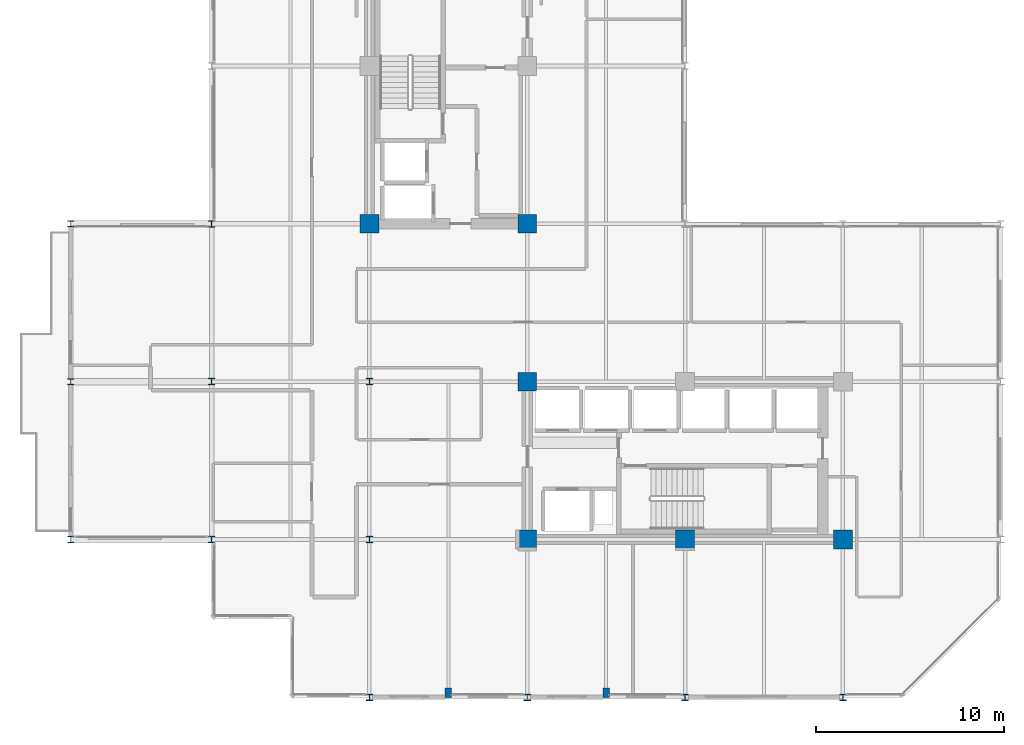
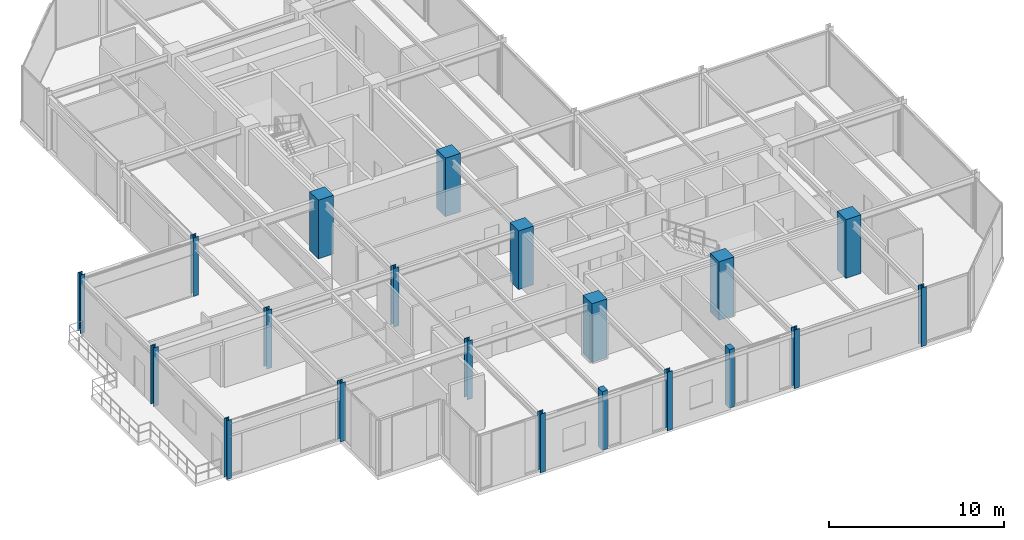
# One storey, part 1 of 29: 20 columns.
"""IFC4 building model written with IfcOpenShell, lengths in metres."""

from ifc_helpers import new_model, si_unit, direction, frame, origin, origin_2d, place, context, subcontext, project, spatial, rectangle, i_section, extrude, material, material_profile, profile_set, type_object, element, save


model = new_model("IFC4")

# Units and contexts
model_context = context("Model", 3, precision=1e-05, world=origin(), true_north=direction((0.0, 1.0)))
body_context = subcontext(model_context, "Body", "Model", "MODEL_VIEW")
ifc_project = project(units=[si_unit("LENGTHUNIT", "METRE"), si_unit("AREAUNIT", "SQUARE_METRE"), si_unit("VOLUMEUNIT", "CUBIC_METRE"), si_unit("PLANEANGLEUNIT", "RADIAN"), si_unit("MASSUNIT", "GRAM", prefix="KILO")], contexts=[model_context])

# Site, building, storey
site_placement = place(None, origin())
site = spatial("IfcSite", under=ifc_project, at=site_placement, CompositionType="ELEMENT")
building_placement = place(site_placement, origin())
building = spatial("IfcBuilding", under=site, at=building_placement, Name="Nerrivon Quay Data Exchange", CompositionType="ELEMENT")
storey_placement = place(building_placement, frame((0.0, 0.0, 196.0)))
storey = spatial("IfcBuildingStorey", under=building, at=storey_placement, Name="L46", CompositionType="ELEMENT", Elevation=196.0)

# Columns
ifc_material_1 = material(Name="Concrete S65 (65 MPa)", Category="concrete")
ifc_material_profile_1 = material_profile(ifc_material_1, rectangle(XDim=1.0, YDim=1.0, at=origin_2d()), Name="RC-COL-1000x1000")
ifc_profile_set_1 = profile_set([ifc_material_profile_1], Name="Concrete S65 (65 MPa)")
column_type_1 = type_object("IfcColumnType", Name="COL-C4-1000", PredefinedType="COLUMN", material=ifc_profile_set_1)
for number, where, z_axis, x_axis, name in (
    (1, (8.39990234375, 25.199951171875, 0.0), (0.0, 0.0, 1.0), (1.0, 0.0, 0.0), "L46 Column (8.4,25.2)"),
    (2, (16.800048828125, 8.39990234375, 0.0), (0.0, 0.0, 1.0), (1.0, 0.0, 0.0), "L46 Column (16.8,8.4)"),
    (3, (16.800048828125, 16.800048828125, 0.0), (0.0, 0.0, 1.0), (1.0, 0.0, 0.0), "L46 Column (16.8,16.8)"),
    (4, (16.800048828125, 25.199951171875, 0.0), (0.0, 0.0, 1.0), (1.0, 0.0, 0.0), "L46 Column (16.8,25.2)"),
    (5, (25.199951171875, 8.39990234375, 0.0), (0.0, 0.0, 1.0), (1.0, 0.0, 0.0), "L46 Column (25.2,8.4)"),
    (6, (33.60009765625, 8.39990234375, 0.0), (0.0, 0.0, 1.0), (1.0, 0.0, 0.0), "L46 Column (33.6,8.4)"),
):
    element("IfcColumn", number, at=place(storey_placement, frame(where, z_axis=z_axis, x_axis=x_axis)), inside=storey, type_object=column_type_1, Name=name, PredefinedType="COLUMN", context=body_context, shape_type="SweptSolid", body=[
        extrude(rectangle(XDim=1.0, YDim=1.0, at=origin_2d()), origin(), (0.0, 0.0, 1.0), 4.10009765625),
    ])
ifc_material_2 = material(Name="Steel Grade 350", Category="steel")
ifc_material_profile_2 = material_profile(ifc_material_2, i_section(OverallWidth=0.35009765625, OverallDepth=0.35009765625, WebThickness=0.02001953125, FlangeThickness=0.031982421875, at=origin_2d()), Name="350WC230")
ifc_profile_set_2 = profile_set([ifc_material_profile_2], Name="Steel Grade 350")
column_type_2 = type_object("IfcColumnType", Name="COL-SC3-350WC", PredefinedType="COLUMN", material=ifc_profile_set_2)
for number, where, z_axis, x_axis, name in (
    (7, (0.0, 8.39990234375, 0.0), (0.0, 0.0, 1.0), (1.0, 0.0, 0.0), "L46 Column (0.0,8.4)"),
    (8, (0.0, 16.800048828125, 0.0), (0.0, 0.0, 1.0), (1.0, 0.0, 0.0), "L46 Column (0.0,16.8)"),
    (9, (0.0, 25.199951171875, 0.0), (0.0, 0.0, 1.0), (1.0, 0.0, 0.0), "L46 Column (0.0,25.2)"),
    (10, (8.39990234375, 0.0, 0.0), (0.0, 0.0, 1.0), (1.0, 0.0, 0.0), "L46 Column (8.4,0.0)"),
    (11, (8.39990234375, 8.39990234375, 0.0), (0.0, 0.0, 1.0), (1.0, 0.0, 0.0), "L46 Column (8.4,8.4)"),
    (12, (8.39990234375, 16.800048828125, 0.0), (0.0, 0.0, 1.0), (1.0, 0.0, 0.0), "L46 Column (8.4,16.8)"),
    (13, (16.800048828125, 0.0, 0.0), (0.0, 0.0, 1.0), (1.0, 0.0, 0.0), "L46 Column (16.8,0.0)"),
    (14, (25.199951171875, 0.0, 0.0), (0.0, 0.0, 1.0), (1.0, 0.0, 0.0), "L46 Column (25.2,0.0)"),
    (15, (33.60009765625, 0.0, 0.0), (0.0, 0.0, 1.0), (1.0, 0.0, 0.0), "L46 Column (33.6,0.0)"),
):
    element("IfcColumn", number, at=place(storey_placement, frame(where, z_axis=z_axis, x_axis=x_axis)), inside=storey, type_object=column_type_2, Name=name, PredefinedType="COLUMN", context=body_context, shape_type="SweptSolid", body=[
        extrude(i_section(OverallWidth=0.35009765625, OverallDepth=0.35009765625, WebThickness=0.02001953125, FlangeThickness=0.031982421875, at=origin_2d()), origin(), (0.0, 0.0, 1.0), 4.10009765625),
    ])
ifc_material_profile_3 = material_profile(ifc_material_2, i_section(OverallWidth=0.31103515625, OverallDepth=0.326904296875, WebThickness=0.015625, FlangeThickness=0.02490234375, FilletRadius=0.0166015625, at=origin_2d()), Name="310UC158")
ifc_profile_set_3 = profile_set([ifc_material_profile_3], Name="Steel Grade 350")
column_type_3 = type_object("IfcColumnType", Name="COL-SC4-310UC158", PredefinedType="COLUMN", material=ifc_profile_set_3)
for number, where, z_axis, x_axis, name in (
    (16, (-7.5, 8.39990234375, 0.0), (0.0, 0.0, 1.0), (1.0, 0.0, 0.0), "L46 West Hooked Post (-7.5,8.4)"),
    (17, (-7.5, 16.800048828125, 0.0), (0.0, 0.0, 1.0), (1.0, 0.0, 0.0), "L46 West Hooked Post (-7.5,16.8)"),
    (18, (-7.5, 25.199951171875, 0.0), (0.0, 0.0, 1.0), (1.0, 0.0, 0.0), "L46 West Hooked Post (-7.5,25.2)"),
):
    element("IfcColumn", number, at=place(storey_placement, frame(where, z_axis=z_axis, x_axis=x_axis)), inside=storey, type_object=column_type_3, Name=name, PredefinedType="COLUMN", context=body_context, shape_type="SweptSolid", body=[
        extrude(i_section(OverallWidth=0.31103515625, OverallDepth=0.326904296875, WebThickness=0.015625, FlangeThickness=0.02490234375, FilletRadius=0.0166015625, at=origin_2d()), origin(), (0.0, 0.0, 1.0), 4.10009765625),
    ])
ifc_material_3 = material(Name="Concrete N50 (50 MPa)", Category="concrete")
ifc_material_profile_4 = material_profile(ifc_material_3, rectangle(XDim=0.35009765625, YDim=0.5, at=origin_2d()), Name="RC-PIL-500x350")
ifc_profile_set_4 = profile_set([ifc_material_profile_4], Name="Concrete N50 (50 MPa)")
column_type_4 = type_object("IfcColumnType", Name="PIL-P2-500x350", PredefinedType="PILASTER", material=ifc_profile_set_4)
for number, where, z_axis, x_axis, name in (
    (19, (12.60009765625, 0.25, 0.0), (0.0, 0.0, 1.0), (1.0, 0.0, 0.0), "L46 Facade Pilaster (12.6)"),
    (20, (21.0, 0.25, 0.0), (0.0, 0.0, 1.0), (1.0, 0.0, 0.0), "L46 Facade Pilaster (21.0)"),
):
    element("IfcColumn", number, at=place(storey_placement, frame(where, z_axis=z_axis, x_axis=x_axis)), inside=storey, type_object=column_type_4, Name=name, PredefinedType="PILASTER", context=body_context, shape_type="SweptSolid", body=[
        extrude(rectangle(XDim=0.35009765625, YDim=0.5, at=origin_2d()), origin(), (0.0, 0.0, 1.0), 4.10009765625),
    ])

save(model, "model.ifc")
